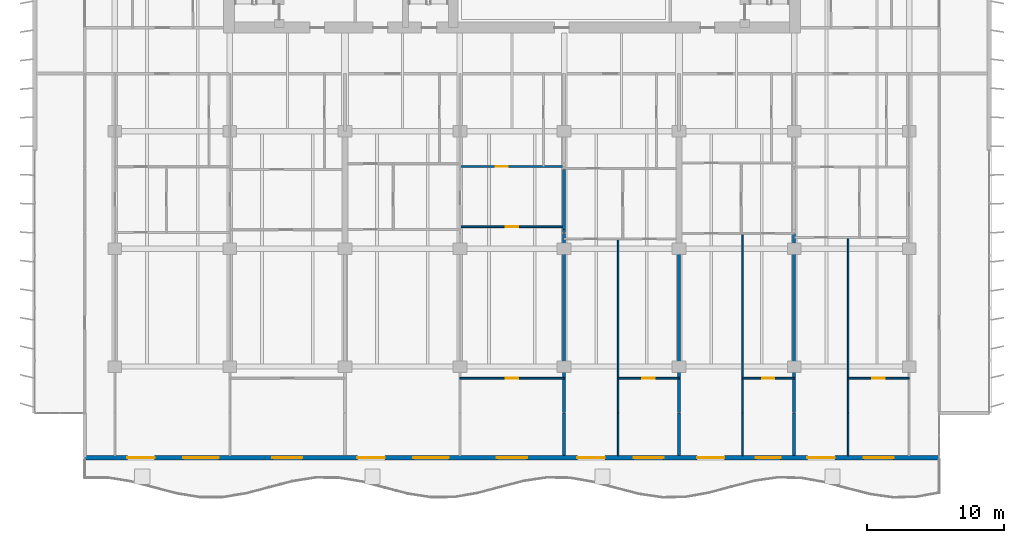
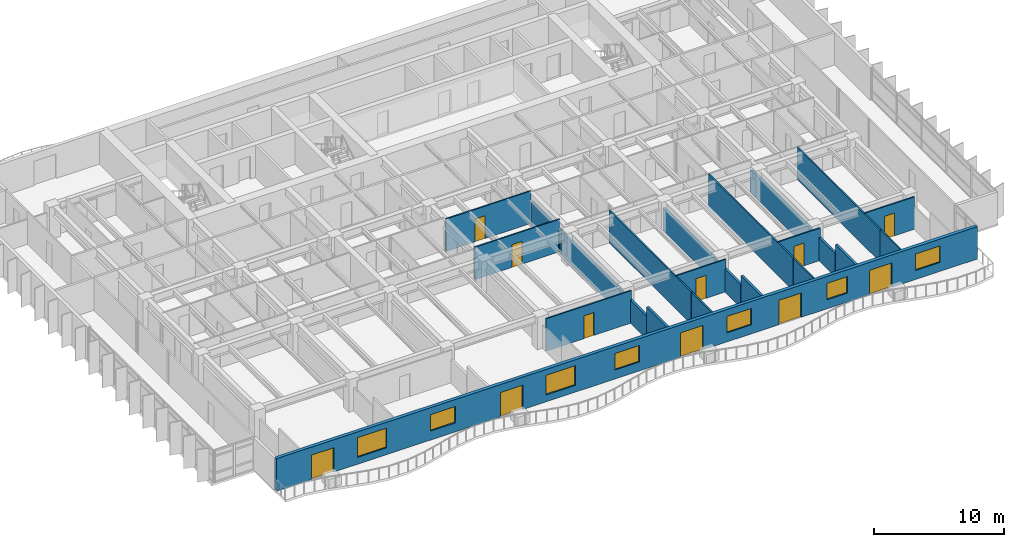
# One storey, part 8 of 19: 21 walls, 11 doors, 7 windows, 18 openings.
"""IFC4 building model written with IfcOpenShell, lengths in metres."""

from ifc_helpers import new_model, si_unit, direction, frame, frame_2d, origin, place, context, subcontext, project, spatial, rectangle, extrude, material, layer, layer_set, type_object, element, fill, save


model = new_model("IFC4")

# Units and contexts
model_context = context("Model", 3, precision=1e-05, world=origin(), true_north=direction((0.0, 1.0)))
body_context = subcontext(model_context, "Body", "Model", "MODEL_VIEW")
ifc_project = project(units=[si_unit("LENGTHUNIT", "METRE"), si_unit("AREAUNIT", "SQUARE_METRE"), si_unit("VOLUMEUNIT", "CUBIC_METRE"), si_unit("PLANEANGLEUNIT", "RADIAN"), si_unit("MASSUNIT", "GRAM", prefix="KILO")], contexts=[model_context])

# Site, building, storey
site_placement = place(None, origin())
site = spatial("IfcSite", under=ifc_project, at=site_placement, CompositionType="ELEMENT")
building_placement = place(site_placement, origin())
building = spatial("IfcBuilding", under=site, at=building_placement, Name="Caelmar Bay Residences", CompositionType="ELEMENT")
storey_placement = place(building_placement, frame((0.0, 0.0, 112.5)))
storey = spatial("IfcBuildingStorey", under=building, at=storey_placement, Name="L30", CompositionType="ELEMENT", Elevation=112.5)

# Wall, openings, doors, windows
ifc_material_1 = material(Name="Precast concrete f'c 40 MPa (6,000 psi)", Category="concrete")
ifc_layer_1 = layer(ifc_material_1, 0.300048828125)
ifc_layer_set_1 = layer_set([ifc_layer_1], Name="Precast concrete f'c 40 MPa (6,000 psi)")
wall_type_1 = type_object("IfcWallType", Name="W-EXT-300", PredefinedType="STANDARD", material=ifc_layer_set_1)
wall_1_placement = place(storey_placement, frame((70.10009765625, 5.550048828125, 0.0), z_axis=(0.0, 0.0, 1.0), x_axis=(-1.0, 0.0, 0.0)))
wall_1 = element("IfcWall", 1, at=wall_1_placement, inside=storey, type_object=wall_type_1, Name="L30 South Bayfront Exterior Wall", PredefinedType="STANDARD", context=body_context, shape_type="SweptSolid", body=[
    extrude(rectangle(XDim=62.400146484375, YDim=0.300048828125, at=frame_2d((31.2001953125, 0.0))), origin(), (0.0, 0.0, 1.0), 3.050048828125),
])
opening_1_placement = place(wall_1_placement, frame((57.2900390625, 0.0, 0.0)))
opening_1 = element("IfcOpeningElement", 2, at=opening_1_placement, cuts=wall_1, Name="Opening L30-BD01", PredefinedType="OPENING", context=body_context, shape_type="SweptSolid", body=[
    extrude(rectangle(XDim=2.0, YDim=2.300048828125, at=frame_2d((1.0, 1.14990234375))), frame((0.0, 0.159912109375, 0.0), z_axis=(0.0, -1.0, 0.0), x_axis=(1.0, 0.0, 0.0)), (0.0, 0.0, 1.0), 0.320068359375),
])
opening_2_placement = place(wall_1_placement, frame((52.610107421875, 0.0, 0.64990234375)))
opening_2 = element("IfcOpeningElement", 3, at=opening_2_placement, cuts=wall_1, Name="Opening WN3", PredefinedType="OPENING", context=body_context, shape_type="SweptSolid", body=[
    extrude(rectangle(XDim=2.60009765625, YDim=1.85009765625, at=frame_2d((1.300048828125, 0.925048828125))), frame((0.0, 0.159912109375, 0.0), z_axis=(0.0, -1.0, 0.0), x_axis=(1.0, 0.0, 0.0)), (0.0, 0.0, 1.0), 0.320068359375),
])
opening_3_placement = place(wall_1_placement, frame((46.5, 0.0, 0.85009765625)))
opening_3 = element("IfcOpeningElement", 4, at=opening_3_placement, cuts=wall_1, Name="Opening WN2", PredefinedType="OPENING", context=body_context, shape_type="SweptSolid", body=[
    extrude(rectangle(XDim=2.199951171875, YDim=1.550048828125, at=frame_2d((1.10009765625, 0.77490234375))), frame((0.0, 0.159912109375, 0.0), z_axis=(0.0, -1.0, 0.0), x_axis=(1.0, 0.0, 0.0)), (0.0, 0.0, 1.0), 0.320068359375),
])
opening_4_placement = place(wall_1_placement, frame((40.489990234375, 0.0, 0.0)))
opening_4 = element("IfcOpeningElement", 5, at=opening_4_placement, cuts=wall_1, Name="Opening L30-BD02", PredefinedType="OPENING", context=body_context, shape_type="SweptSolid", body=[
    extrude(rectangle(XDim=2.0, YDim=2.300048828125, at=frame_2d((1.0, 1.14990234375))), frame((0.0, 0.159912109375, 0.0), z_axis=(0.0, -1.0, 0.0), x_axis=(1.0, 0.0, 0.0)), (0.0, 0.0, 1.0), 0.320068359375),
])
opening_5_placement = place(wall_1_placement, frame((35.81005859375, 0.0, 0.64990234375)))
opening_5 = element("IfcOpeningElement", 6, at=opening_5_placement, cuts=wall_1, Name="Opening WN3", PredefinedType="OPENING", context=body_context, shape_type="SweptSolid", body=[
    extrude(rectangle(XDim=2.60009765625, YDim=1.85009765625, at=frame_2d((1.300048828125, 0.925048828125))), frame((0.0, 0.159912109375, 0.0), z_axis=(0.0, -1.0, 0.0), x_axis=(1.0, 0.0, 0.0)), (0.0, 0.0, 1.0), 0.320068359375),
])
opening_6_placement = place(wall_1_placement, frame((30.10009765625, 0.0, 0.85009765625)))
opening_6 = element("IfcOpeningElement", 7, at=opening_6_placement, cuts=wall_1, Name="Opening WN2", PredefinedType="OPENING", context=body_context, shape_type="SweptSolid", body=[
    extrude(rectangle(XDim=2.199951171875, YDim=1.550048828125, at=frame_2d((1.10009765625, 0.77490234375))), frame((0.0, 0.159912109375, 0.0), z_axis=(0.0, -1.0, 0.0), x_axis=(1.0, 0.0, 0.0)), (0.0, 0.0, 1.0), 0.320068359375),
])
opening_7_placement = place(wall_1_placement, frame((24.426025390625, 0.0, 0.0)))
opening_7 = element("IfcOpeningElement", 8, at=opening_7_placement, cuts=wall_1, Name="Opening L30-BD03", PredefinedType="OPENING", context=body_context, shape_type="SweptSolid", body=[
    extrude(rectangle(XDim=2.0, YDim=2.300048828125, at=frame_2d((1.0, 1.14990234375))), frame((0.0, 0.159912109375, 0.0), z_axis=(0.0, -1.0, 0.0), x_axis=(1.0, 0.0, 0.0)), (0.0, 0.0, 1.0), 0.320068359375),
])
opening_8_placement = place(wall_1_placement, frame((20.1259765625, 0.0, 0.85009765625)))
opening_8 = element("IfcOpeningElement", 9, at=opening_8_placement, cuts=wall_1, Name="Opening WN2", PredefinedType="OPENING", context=body_context, shape_type="SweptSolid", body=[
    extrude(rectangle(XDim=2.199951171875, YDim=1.550048828125, at=frame_2d((1.10009765625, 0.77490234375))), frame((0.0, 0.159912109375, 0.0), z_axis=(0.0, -1.0, 0.0), x_axis=(1.0, 0.0, 0.0)), (0.0, 0.0, 1.0), 0.320068359375),
])
opening_9_placement = place(wall_1_placement, frame((15.68994140625, 0.0, 0.0)))
opening_9 = element("IfcOpeningElement", 10, at=opening_9_placement, cuts=wall_1, Name="Opening L30-BD04", PredefinedType="OPENING", context=body_context, shape_type="SweptSolid", body=[
    extrude(rectangle(XDim=2.0, YDim=2.300048828125, at=frame_2d((1.0, 1.14990234375))), frame((0.0, 0.159912109375, 0.0), z_axis=(0.0, -1.0, 0.0), x_axis=(1.0, 0.0, 0.0)), (0.0, 0.0, 1.0), 0.320068359375),
])
opening_10_placement = place(wall_1_placement, frame((11.590087890625, 0.0, 0.85009765625)))
opening_10 = element("IfcOpeningElement", 11, at=opening_10_placement, cuts=wall_1, Name="Opening WN1", PredefinedType="OPENING", context=body_context, shape_type="SweptSolid", body=[
    extrude(rectangle(XDim=1.800048828125, YDim=1.550048828125, at=frame_2d((0.89990234375, 0.77490234375))), frame((0.0, 0.159912109375, 0.0), z_axis=(0.0, -1.0, 0.0), x_axis=(1.0, 0.0, 0.0)), (0.0, 0.0, 1.0), 0.320068359375),
])
opening_11_placement = place(wall_1_placement, frame((7.6259765625, 0.0, 0.0)))
opening_11 = element("IfcOpeningElement", 12, at=opening_11_placement, cuts=wall_1, Name="Opening L30-BD05", PredefinedType="OPENING", context=body_context, shape_type="SweptSolid", body=[
    extrude(rectangle(XDim=2.0, YDim=2.300048828125, at=frame_2d((1.0, 1.14990234375))), frame((0.0, 0.159912109375, 0.0), z_axis=(0.0, -1.0, 0.0), x_axis=(1.0, 0.0, 0.0)), (0.0, 0.0, 1.0), 0.320068359375),
])
opening_12_placement = place(wall_1_placement, frame((3.325927734375, 0.0, 0.85009765625)))
opening_12 = element("IfcOpeningElement", 13, at=opening_12_placement, cuts=wall_1, Name="Opening WN2", PredefinedType="OPENING", context=body_context, shape_type="SweptSolid", body=[
    extrude(rectangle(XDim=2.199951171875, YDim=1.550048828125, at=frame_2d((1.10009765625, 0.77490234375))), frame((0.0, 0.159912109375, 0.0), z_axis=(0.0, -1.0, 0.0), x_axis=(1.0, 0.0, 0.0)), (0.0, 0.0, 1.0), 0.320068359375),
])
ifc_material_2 = material(Name="Anodised bronze thermally broken sliding glass door", Category="glass")
ifc_layer_2 = layer(ifc_material_2, 0.050048828125)
ifc_layer_set_2 = layer_set([ifc_layer_2], Name="Anodised bronze thermally broken sliding glass door")
door_type_1 = type_object("IfcDoorType", Name="D-BAL-2000", OperationType="DOUBLE_DOOR_SLIDING", PredefinedType="DOOR", material=ifc_layer_set_2)
door_1_placement = place(opening_1_placement, origin())
door_1 = element("IfcDoor", 14, at=door_1_placement, inside=storey, type_object=door_type_1, Name="L30 Residence 01 Penthouse Living Salon Balcony Door", OperationType="DOUBLE_DOOR_SLIDING", OverallHeight=2.300048828125, OverallWidth=2.0, PredefinedType="DOOR", context=body_context, shape_type="SweptSolid", body=[
    extrude(rectangle(XDim=2.0, YDim=2.300048828125, at=frame_2d((1.0, 1.14990234375))), frame((0.0, 0.02490234375, 0.0), z_axis=(0.0, -1.0, 0.0), x_axis=(1.0, 0.0, 0.0)), (0.0, 0.0, 1.0), 0.050048828125),
])
fill(opening_1, door_1)
door_2_placement = place(opening_4_placement, origin())
door_2 = element("IfcDoor", 15, at=door_2_placement, inside=storey, type_object=door_type_1, Name="L30 Residence 02 Penthouse Living Salon Balcony Door", OperationType="DOUBLE_DOOR_SLIDING", OverallHeight=2.300048828125, OverallWidth=2.0, PredefinedType="DOOR", context=body_context, shape_type="SweptSolid", body=[
    extrude(rectangle(XDim=2.0, YDim=2.300048828125, at=frame_2d((1.0, 1.14990234375))), frame((0.0, 0.02490234375, 0.0), z_axis=(0.0, -1.0, 0.0), x_axis=(1.0, 0.0, 0.0)), (0.0, 0.0, 1.0), 0.050048828125),
])
fill(opening_4, door_2)
door_3_placement = place(opening_7_placement, origin())
door_3 = element("IfcDoor", 16, at=door_3_placement, inside=storey, type_object=door_type_1, Name="L30 Residence 03 Living Room Balcony Door", OperationType="DOUBLE_DOOR_SLIDING", OverallHeight=2.300048828125, OverallWidth=2.0, PredefinedType="DOOR", context=body_context, shape_type="SweptSolid", body=[
    extrude(rectangle(XDim=2.0, YDim=2.300048828125, at=frame_2d((1.0, 1.14990234375))), frame((0.0, 0.02490234375, 0.0), z_axis=(0.0, -1.0, 0.0), x_axis=(1.0, 0.0, 0.0)), (0.0, 0.0, 1.0), 0.050048828125),
])
fill(opening_7, door_3)
door_4_placement = place(opening_9_placement, origin())
door_4 = element("IfcDoor", 17, at=door_4_placement, inside=storey, type_object=door_type_1, Name="L30 Residence 04 Living Room Balcony Door", OperationType="DOUBLE_DOOR_SLIDING", OverallHeight=2.300048828125, OverallWidth=2.0, PredefinedType="DOOR", context=body_context, shape_type="SweptSolid", body=[
    extrude(rectangle(XDim=2.0, YDim=2.300048828125, at=frame_2d((1.0, 1.14990234375))), frame((0.0, 0.02490234375, 0.0), z_axis=(0.0, -1.0, 0.0), x_axis=(1.0, 0.0, 0.0)), (0.0, 0.0, 1.0), 0.050048828125),
])
fill(opening_9, door_4)
door_5_placement = place(opening_11_placement, origin())
door_5 = element("IfcDoor", 18, at=door_5_placement, inside=storey, type_object=door_type_1, Name="L30 Residence 05 Living Room Balcony Door", OperationType="DOUBLE_DOOR_SLIDING", OverallHeight=2.300048828125, OverallWidth=2.0, PredefinedType="DOOR", context=body_context, shape_type="SweptSolid", body=[
    extrude(rectangle(XDim=2.0, YDim=2.300048828125, at=frame_2d((1.0, 1.14990234375))), frame((0.0, 0.02490234375, 0.0), z_axis=(0.0, -1.0, 0.0), x_axis=(1.0, 0.0, 0.0)), (0.0, 0.0, 1.0), 0.050048828125),
])
fill(opening_11, door_5)
ifc_material_3 = material(Name="Bronze aluminium frame with laminated low-E glass", Category="aluminium")
ifc_layer_3 = layer(ifc_material_3, 0.06005859375)
ifc_layer_set_3 = layer_set([ifc_layer_3], Name="Bronze aluminium frame with laminated low-E glass")
window_type_1 = type_object("IfcWindowType", Name="WIN-BR-1800", PartitioningType="SINGLE_PANEL", PredefinedType="WINDOW", material=ifc_layer_set_3)
window_1_placement = place(opening_10_placement, origin())
window_1 = element("IfcWindow", 19, at=window_1_placement, inside=storey, type_object=window_type_1, Name="L30 Residence 04 Primary Bedroom Window", OverallHeight=1.550048828125, OverallWidth=1.800048828125, PartitioningType="SINGLE_PANEL", PredefinedType="WINDOW", context=body_context, shape_type="SweptSolid", body=[
    extrude(rectangle(XDim=1.800048828125, YDim=1.550048828125, at=frame_2d((0.89990234375, 0.77490234375))), frame((0.0, 0.030029296875, 0.0), z_axis=(0.0, -1.0, 0.0), x_axis=(1.0, 0.0, 0.0)), (0.0, 0.0, 1.0), 0.06005859375),
])
fill(opening_10, window_1)
ifc_layer_4 = layer(ifc_material_3, 0.06005859375)
ifc_layer_set_4 = layer_set([ifc_layer_4], Name="Bronze aluminium frame with laminated low-E glass")
window_type_2 = type_object("IfcWindowType", Name="WIN-BR-2200", PartitioningType="SINGLE_PANEL", PredefinedType="WINDOW", material=ifc_layer_set_4)
window_2_placement = place(opening_3_placement, origin())
window_2 = element("IfcWindow", 20, at=window_2_placement, inside=storey, type_object=window_type_2, Name="L30 Residence 01 Primary Bedroom 1 Window", OverallHeight=1.550048828125, OverallWidth=2.199951171875, PartitioningType="SINGLE_PANEL", PredefinedType="WINDOW", context=body_context, shape_type="SweptSolid", body=[
    extrude(rectangle(XDim=2.199951171875, YDim=1.550048828125, at=frame_2d((1.10009765625, 0.77490234375))), frame((0.0, 0.030029296875, 0.0), z_axis=(0.0, -1.0, 0.0), x_axis=(1.0, 0.0, 0.0)), (0.0, 0.0, 1.0), 0.06005859375),
])
fill(opening_3, window_2)
window_3_placement = place(opening_6_placement, origin())
window_3 = element("IfcWindow", 21, at=window_3_placement, inside=storey, type_object=window_type_2, Name="L30 Residence 02 Primary Bedroom 1 Window", OverallHeight=1.550048828125, OverallWidth=2.199951171875, PartitioningType="SINGLE_PANEL", PredefinedType="WINDOW", context=body_context, shape_type="SweptSolid", body=[
    extrude(rectangle(XDim=2.199951171875, YDim=1.550048828125, at=frame_2d((1.10009765625, 0.77490234375))), frame((0.0, 0.030029296875, 0.0), z_axis=(0.0, -1.0, 0.0), x_axis=(1.0, 0.0, 0.0)), (0.0, 0.0, 1.0), 0.06005859375),
])
fill(opening_6, window_3)
window_4_placement = place(opening_8_placement, origin())
window_4 = element("IfcWindow", 22, at=window_4_placement, inside=storey, type_object=window_type_2, Name="L30 Residence 03 Primary Bedroom Window", OverallHeight=1.550048828125, OverallWidth=2.199951171875, PartitioningType="SINGLE_PANEL", PredefinedType="WINDOW", context=body_context, shape_type="SweptSolid", body=[
    extrude(rectangle(XDim=2.199951171875, YDim=1.550048828125, at=frame_2d((1.10009765625, 0.77490234375))), frame((0.0, 0.030029296875, 0.0), z_axis=(0.0, -1.0, 0.0), x_axis=(1.0, 0.0, 0.0)), (0.0, 0.0, 1.0), 0.06005859375),
])
fill(opening_8, window_4)
window_5_placement = place(opening_12_placement, origin())
window_5 = element("IfcWindow", 23, at=window_5_placement, inside=storey, type_object=window_type_2, Name="L30 Residence 05 Primary Bedroom Window", OverallHeight=1.550048828125, OverallWidth=2.199951171875, PartitioningType="SINGLE_PANEL", PredefinedType="WINDOW", context=body_context, shape_type="SweptSolid", body=[
    extrude(rectangle(XDim=2.199951171875, YDim=1.550048828125, at=frame_2d((1.10009765625, 0.77490234375))), frame((0.0, 0.030029296875, 0.0), z_axis=(0.0, -1.0, 0.0), x_axis=(1.0, 0.0, 0.0)), (0.0, 0.0, 1.0), 0.06005859375),
])
fill(opening_12, window_5)
ifc_layer_5 = layer(ifc_material_3, 0.06005859375)
ifc_layer_set_5 = layer_set([ifc_layer_5], Name="Bronze aluminium frame with laminated low-E glass")
window_type_3 = type_object("IfcWindowType", Name="WIN-LIV-2600", PartitioningType="SINGLE_PANEL", PredefinedType="WINDOW", material=ifc_layer_set_5)
window_6_placement = place(opening_2_placement, origin())
window_6 = element("IfcWindow", 24, at=window_6_placement, inside=storey, type_object=window_type_3, Name="L30 Residence 01 Penthouse Living Salon Panoramic Window", OverallHeight=1.85009765625, OverallWidth=2.60009765625, PartitioningType="SINGLE_PANEL", PredefinedType="WINDOW", context=body_context, shape_type="SweptSolid", body=[
    extrude(rectangle(XDim=2.60009765625, YDim=1.85009765625, at=frame_2d((1.300048828125, 0.925048828125))), frame((0.0, 0.030029296875, 0.0), z_axis=(0.0, -1.0, 0.0), x_axis=(1.0, 0.0, 0.0)), (0.0, 0.0, 1.0), 0.06005859375),
])
fill(opening_2, window_6)
window_7_placement = place(opening_5_placement, origin())
window_7 = element("IfcWindow", 25, at=window_7_placement, inside=storey, type_object=window_type_3, Name="L30 Residence 02 Penthouse Living Salon Panoramic Window", OverallHeight=1.85009765625, OverallWidth=2.60009765625, PartitioningType="SINGLE_PANEL", PredefinedType="WINDOW", context=body_context, shape_type="SweptSolid", body=[
    extrude(rectangle(XDim=2.60009765625, YDim=1.85009765625, at=frame_2d((1.300048828125, 0.925048828125))), frame((0.0, 0.030029296875, 0.0), z_axis=(0.0, -1.0, 0.0), x_axis=(1.0, 0.0, 0.0)), (0.0, 0.0, 1.0), 0.06005859375),
])
fill(opening_5, window_7)

# Walls
ifc_material_4 = material(Name="Acoustic metal-stud gypsum partition 120 mm")
ifc_layer_6 = layer(ifc_material_4, 0.1201171875)
ifc_layer_set_6 = layer_set([ifc_layer_6], Name="Acoustic metal-stud gypsum partition 120 mm")
wall_type_2 = type_object("IfcWallType", Name="W-PRT-120", PredefinedType="PARTITIONING", material=ifc_layer_set_6)
wall_2_placement = place(storey_placement, frame((46.64794921875, 5.695068359375, 0.0), z_axis=(0.0, 0.0, 1.0), x_axis=(0.0, 1.0, 0.0)))
element("IfcWall", 26, at=wall_2_placement, inside=storey, type_object=wall_type_2, Name="L30 Partition Wall V064", PredefinedType="PARTITIONING", context=body_context, shape_type="SweptSolid", body=[
    extrude(rectangle(XDim=3.10498046875, YDim=0.1201171875, at=frame_2d((1.552490234375, 0.0))), origin(), (0.0, 0.0, 1.0), 3.050048828125),
])
wall_3_placement = place(storey_placement, frame((46.64794921875, 8.840087890625, 0.0), z_axis=(0.0, 0.0, 1.0), x_axis=(0.0, 1.0, 0.0)))
element("IfcWall", 27, at=wall_3_placement, inside=storey, type_object=wall_type_2, Name="L30 Partition Wall V065", PredefinedType="PARTITIONING", context=body_context, shape_type="SweptSolid", body=[
    extrude(rectangle(XDim=12.68994140625, YDim=0.1201171875, at=frame_2d((6.344970703125, 0.0))), origin(), (0.0, 0.0, 1.0), 3.050048828125),
])
wall_4_placement = place(storey_placement, frame((55.719970703125, 5.695068359375, 0.0), z_axis=(0.0, 0.0, 1.0), x_axis=(0.0, 1.0, 0.0)))
element("IfcWall", 28, at=wall_4_placement, inside=storey, type_object=wall_type_2, Name="L30 Partition Wall V083", PredefinedType="PARTITIONING", context=body_context, shape_type="SweptSolid", body=[
    extrude(rectangle(XDim=3.10498046875, YDim=0.1201171875, at=frame_2d((1.552490234375, 0.0))), origin(), (0.0, 0.0, 1.0), 3.050048828125),
])
wall_5_placement = place(storey_placement, frame((55.719970703125, 8.840087890625, 0.0), z_axis=(0.0, 0.0, 1.0), x_axis=(0.0, 1.0, 0.0)))
element("IfcWall", 29, at=wall_5_placement, inside=storey, type_object=wall_type_2, Name="L30 Partition Wall V084", PredefinedType="PARTITIONING", context=body_context, shape_type="SweptSolid", body=[
    extrude(rectangle(XDim=13.08984375, YDim=0.1201171875, at=frame_2d((6.544921875, 0.0))), origin(), (0.0, 0.0, 1.0), 3.050048828125),
])
wall_6_placement = place(storey_placement, frame((63.447998046875, 5.695068359375, 0.0), z_axis=(0.0, 0.0, 1.0), x_axis=(0.0, 1.0, 0.0)))
element("IfcWall", 30, at=wall_6_placement, inside=storey, type_object=wall_type_2, Name="L30 Partition Wall V095", PredefinedType="PARTITIONING", context=body_context, shape_type="SweptSolid", body=[
    extrude(rectangle(XDim=3.10498046875, YDim=0.1201171875, at=frame_2d((1.552490234375, 0.0))), origin(), (0.0, 0.0, 1.0), 3.050048828125),
])
wall_7_placement = place(storey_placement, frame((63.447998046875, 8.840087890625, 0.0), z_axis=(0.0, 0.0, 1.0), x_axis=(0.0, 1.0, 0.0)))
element("IfcWall", 31, at=wall_7_placement, inside=storey, type_object=wall_type_2, Name="L30 Partition Wall V096", PredefinedType="PARTITIONING", context=body_context, shape_type="SweptSolid", body=[
    extrude(rectangle(XDim=12.789794921875, YDim=0.1201171875, at=frame_2d((6.39501953125, 0.0))), origin(), (0.0, 0.0, 1.0), 3.050048828125),
])

# Wall, opening, door
wall_8_placement = place(storey_placement, frame((35.10009765625, 11.35009765625, 0.0), z_axis=(0.0, 0.0, 1.0), x_axis=(1.0, 0.0, 0.0)))
wall_8 = element("IfcWall", 32, at=wall_8_placement, inside=storey, type_object=wall_type_2, Name="L30 Partition Wall H121", PredefinedType="PARTITIONING", context=body_context, shape_type="SweptSolid", body=[
    extrude(rectangle(XDim=7.599853515625, YDim=0.1201171875, at=frame_2d((3.7998046875, 0.0))), origin(), (0.0, 0.0, 1.0), 3.050048828125),
])
opening_13_placement = place(wall_8_placement, frame((3.35009765625, 0.0, 0.0)))
opening_13 = element("IfcOpeningElement", 33, at=opening_13_placement, cuts=wall_8, Name="Opening D-L30-139", PredefinedType="OPENING", context=body_context, shape_type="SweptSolid", body=[
    extrude(rectangle(XDim=0.89990234375, YDim=2.14990234375, at=frame_2d((0.449951171875, 1.074951171875))), frame((0.0, 0.070068359375, 0.0), z_axis=(0.0, -1.0, 0.0), x_axis=(1.0, 0.0, 0.0)), (0.0, 0.0, 1.0), 0.14013671875),
])
ifc_material_5 = material(Name="Solid walnut timber interior door leaf and frame", Category="wood")
ifc_layer_7 = layer(ifc_material_5, 0.050048828125)
ifc_layer_set_7 = layer_set([ifc_layer_7], Name="Solid walnut timber interior door leaf and frame")
door_type_2 = type_object("IfcDoorType", Name="D-ROOM-900", OperationType="NOTDEFINED", PredefinedType="DOOR", material=ifc_layer_set_7)
door_6_placement = place(opening_13_placement, origin())
door_6 = element("IfcDoor", 34, at=door_6_placement, inside=storey, type_object=door_type_2, Name="L30 Residence 02 Primary Bedroom 1 Door", OperationType="SINGLE_SWING_LEFT", OverallHeight=2.14990234375, OverallWidth=0.89990234375, PredefinedType="DOOR", context=body_context, shape_type="SweptSolid", body=[
    extrude(rectangle(XDim=0.89990234375, YDim=2.14990234375, at=frame_2d((0.449951171875, 1.074951171875))), frame((0.0, 0.02490234375, 0.0), z_axis=(0.0, -1.0, 0.0), x_axis=(1.0, 0.0, 0.0)), (0.0, 0.0, 1.0), 0.050048828125),
])
fill(opening_13, door_6)

wall_9_placement = place(storey_placement, frame((46.64794921875, 11.35009765625, 0.0), z_axis=(0.0, 0.0, 1.0), x_axis=(1.0, 0.0, 0.0)))
wall_9 = element("IfcWall", 35, at=wall_9_placement, inside=storey, type_object=wall_type_2, Name="L30 Partition Wall H122", PredefinedType="PARTITIONING", context=body_context, shape_type="SweptSolid", body=[
    extrude(rectangle(XDim=4.4521484375, YDim=0.1201171875, at=frame_2d((2.22607421875, 0.0))), origin(), (0.0, 0.0, 1.0), 3.050048828125),
])
opening_14_placement = place(wall_9_placement, frame((1.77587890625, 0.0, 0.0)))
opening_14 = element("IfcOpeningElement", 36, at=opening_14_placement, cuts=wall_9, Name="Opening D-L30-146", PredefinedType="OPENING", context=body_context, shape_type="SweptSolid", body=[
    extrude(rectangle(XDim=0.89990234375, YDim=2.14990234375, at=frame_2d((0.449951171875, 1.074951171875))), frame((0.0, 0.070068359375, 0.0), z_axis=(0.0, -1.0, 0.0), x_axis=(1.0, 0.0, 0.0)), (0.0, 0.0, 1.0), 0.14013671875),
])
door_7_placement = place(opening_14_placement, origin())
door_7 = element("IfcDoor", 37, at=door_7_placement, inside=storey, type_object=door_type_2, Name="L30 Residence 03 Primary Bedroom Door", OperationType="SINGLE_SWING_RIGHT", OverallHeight=2.14990234375, OverallWidth=0.89990234375, PredefinedType="DOOR", context=body_context, shape_type="SweptSolid", body=[
    extrude(rectangle(XDim=0.89990234375, YDim=2.14990234375, at=frame_2d((0.449951171875, 1.074951171875))), frame((0.0, 0.02490234375, 0.0), z_axis=(0.0, -1.0, 0.0), x_axis=(1.0, 0.0, 0.0)), (0.0, 0.0, 1.0), 0.050048828125),
])
fill(opening_14, door_7)

wall_10_placement = place(storey_placement, frame((55.719970703125, 11.35009765625, 0.0), z_axis=(0.0, 0.0, 1.0), x_axis=(1.0, 0.0, 0.0)))
wall_10 = element("IfcWall", 38, at=wall_10_placement, inside=storey, type_object=wall_type_2, Name="L30 Partition Wall H123", PredefinedType="PARTITIONING", context=body_context, shape_type="SweptSolid", body=[
    extrude(rectangle(XDim=3.780029296875, YDim=0.1201171875, at=frame_2d((1.89013671875, 0.0))), origin(), (0.0, 0.0, 1.0), 3.050048828125),
])
opening_15_placement = place(wall_10_placement, frame((1.43994140625, 0.0, 0.0)))
opening_15 = element("IfcOpeningElement", 39, at=opening_15_placement, cuts=wall_10, Name="Opening D-L30-153", PredefinedType="OPENING", context=body_context, shape_type="SweptSolid", body=[
    extrude(rectangle(XDim=0.89990234375, YDim=2.14990234375, at=frame_2d((0.449951171875, 1.074951171875))), frame((0.0, 0.070068359375, 0.0), z_axis=(0.0, -1.0, 0.0), x_axis=(1.0, 0.0, 0.0)), (0.0, 0.0, 1.0), 0.14013671875),
])
door_8_placement = place(opening_15_placement, origin())
door_8 = element("IfcDoor", 40, at=door_8_placement, inside=storey, type_object=door_type_2, Name="L30 Residence 04 Primary Bedroom Door", OperationType="SINGLE_SWING_LEFT", OverallHeight=2.14990234375, OverallWidth=0.89990234375, PredefinedType="DOOR", context=body_context, shape_type="SweptSolid", body=[
    extrude(rectangle(XDim=0.89990234375, YDim=2.14990234375, at=frame_2d((0.449951171875, 1.074951171875))), frame((0.0, 0.02490234375, 0.0), z_axis=(0.0, -1.0, 0.0), x_axis=(1.0, 0.0, 0.0)), (0.0, 0.0, 1.0), 0.050048828125),
])
fill(opening_15, door_8)

wall_11_placement = place(storey_placement, frame((63.447998046875, 11.35009765625, 0.0), z_axis=(0.0, 0.0, 1.0), x_axis=(1.0, 0.0, 0.0)))
wall_11 = element("IfcWall", 41, at=wall_11_placement, inside=storey, type_object=wall_type_2, Name="L30 Partition Wall H124", PredefinedType="PARTITIONING", context=body_context, shape_type="SweptSolid", body=[
    extrude(rectangle(XDim=4.451904296875, YDim=0.1201171875, at=frame_2d((2.22607421875, 0.0))), origin(), (0.0, 0.0, 1.0), 3.050048828125),
])
opening_16_placement = place(wall_11_placement, frame((1.77587890625, 0.0, 0.0)))
opening_16 = element("IfcOpeningElement", 42, at=opening_16_placement, cuts=wall_11, Name="Opening D-L30-160", PredefinedType="OPENING", context=body_context, shape_type="SweptSolid", body=[
    extrude(rectangle(XDim=0.89990234375, YDim=2.14990234375, at=frame_2d((0.449951171875, 1.074951171875))), frame((0.0, 0.070068359375, 0.0), z_axis=(0.0, -1.0, 0.0), x_axis=(1.0, 0.0, 0.0)), (0.0, 0.0, 1.0), 0.14013671875),
])
door_9_placement = place(opening_16_placement, origin())
door_9 = element("IfcDoor", 43, at=door_9_placement, inside=storey, type_object=door_type_2, Name="L30 Residence 05 Primary Bedroom Door", OperationType="SINGLE_SWING_RIGHT", OverallHeight=2.14990234375, OverallWidth=0.89990234375, PredefinedType="DOOR", context=body_context, shape_type="SweptSolid", body=[
    extrude(rectangle(XDim=0.89990234375, YDim=2.14990234375, at=frame_2d((0.449951171875, 1.074951171875))), frame((0.0, 0.02490234375, 0.0), z_axis=(0.0, -1.0, 0.0), x_axis=(1.0, 0.0, 0.0)), (0.0, 0.0, 1.0), 0.050048828125),
])
fill(opening_16, door_9)

wall_12_placement = place(storey_placement, frame((35.10009765625, 22.419921875, 0.0), z_axis=(0.0, 0.0, 1.0), x_axis=(1.0, 0.0, 0.0)))
wall_12 = element("IfcWall", 44, at=wall_12_placement, inside=storey, type_object=wall_type_2, Name="L30 Partition Wall H131", PredefinedType="PARTITIONING", context=body_context, shape_type="SweptSolid", body=[
    extrude(rectangle(XDim=7.599853515625, YDim=0.1201171875, at=frame_2d((3.7998046875, 0.0))), origin(), (0.0, 0.0, 1.0), 3.050048828125),
])
opening_17_placement = place(wall_12_placement, frame((3.35009765625, 0.0, 0.0)))
opening_17 = element("IfcOpeningElement", 45, at=opening_17_placement, cuts=wall_12, Name="Opening D-L30-138", PredefinedType="OPENING", context=body_context, shape_type="SweptSolid", body=[
    extrude(rectangle(XDim=0.89990234375, YDim=2.14990234375, at=frame_2d((0.449951171875, 1.074951171875))), frame((0.0, 0.070068359375, 0.0), z_axis=(0.0, -1.0, 0.0), x_axis=(1.0, 0.0, 0.0)), (0.0, 0.0, 1.0), 0.14013671875),
])
door_10_placement = place(opening_17_placement, origin())
door_10 = element("IfcDoor", 46, at=door_10_placement, inside=storey, type_object=door_type_2, Name="L30 Residence 02 Penthouse Sitting Salon 1 Door", OperationType="SINGLE_SWING_RIGHT", OverallHeight=2.14990234375, OverallWidth=0.89990234375, PredefinedType="DOOR", context=body_context, shape_type="SweptSolid", body=[
    extrude(rectangle(XDim=0.89990234375, YDim=2.14990234375, at=frame_2d((0.449951171875, 1.074951171875))), frame((0.0, 0.02490234375, 0.0), z_axis=(0.0, -1.0, 0.0), x_axis=(1.0, 0.0, 0.0)), (0.0, 0.0, 1.0), 0.050048828125),
])
fill(opening_17, door_10)

wall_13_placement = place(storey_placement, frame((35.10009765625, 26.820068359375, 0.0), z_axis=(0.0, 0.0, 1.0), x_axis=(1.0, 0.0, 0.0)))
wall_13 = element("IfcWall", 47, at=wall_13_placement, inside=storey, type_object=wall_type_2, Name="L30 Partition Wall H136", PredefinedType="PARTITIONING", context=body_context, shape_type="SweptSolid", body=[
    extrude(rectangle(XDim=7.594970703125, YDim=0.1201171875, at=frame_2d((3.79736328125, 0.0))), origin(), (0.0, 0.0, 1.0), 3.050048828125),
])
opening_18_placement = place(wall_13_placement, frame((2.60009765625, 0.0, 0.0)))
opening_18 = element("IfcOpeningElement", 48, at=opening_18_placement, cuts=wall_13, Name="Opening D-L30-136", PredefinedType="OPENING", context=body_context, shape_type="SweptSolid", body=[
    extrude(rectangle(XDim=0.89990234375, YDim=2.14990234375, at=frame_2d((0.449951171875, 1.074951171875))), frame((0.0, 0.070068359375, 0.0), z_axis=(0.0, -1.0, 0.0), x_axis=(1.0, 0.0, 0.0)), (0.0, 0.0, 1.0), 0.14013671875),
])
door_11_placement = place(opening_18_placement, origin())
door_11 = element("IfcDoor", 49, at=door_11_placement, inside=storey, type_object=door_type_2, Name="L30 Residence 02 Private Meeting Room 1 Door", OperationType="SINGLE_SWING_RIGHT", OverallHeight=2.14990234375, OverallWidth=0.89990234375, PredefinedType="DOOR", context=body_context, shape_type="SweptSolid", body=[
    extrude(rectangle(XDim=0.89990234375, YDim=2.14990234375, at=frame_2d((0.449951171875, 1.074951171875))), frame((0.0, 0.02490234375, 0.0), z_axis=(0.0, -1.0, 0.0), x_axis=(1.0, 0.0, 0.0)), (0.0, 0.0, 1.0), 0.050048828125),
])
fill(opening_18, door_11)

# Walls
ifc_material_6 = material(Name="Acoustic twin-stud fire-rated inter-tenancy partition 200 mm")
ifc_layer_8 = layer(ifc_material_6, 0.199951171875)
ifc_layer_set_8 = layer_set([ifc_layer_8], Name="Acoustic twin-stud fire-rated inter-tenancy partition 200 mm")
wall_type_3 = type_object("IfcWallType", Name="W-PTY-200", PredefinedType="PARTITIONING", material=ifc_layer_set_8)
wall_14_placement = place(storey_placement, frame((42.699951171875, 5.695068359375, 0.0), z_axis=(0.0, 0.0, 1.0), x_axis=(0.0, 1.0, 0.0)))
element("IfcWall", 50, at=wall_14_placement, inside=storey, type_object=wall_type_3, Name="L30 Partition Wall V055", PredefinedType="PARTITIONING", context=body_context, shape_type="SweptSolid", body=[
    extrude(rectangle(XDim=3.10498046875, YDim=0.199951171875, at=frame_2d((1.552490234375, 0.0))), origin(), (0.0, 0.0, 1.0), 3.050048828125),
])
wall_15_placement = place(storey_placement, frame((42.699951171875, 8.840087890625, 0.0), z_axis=(0.0, 0.0, 1.0), x_axis=(0.0, 1.0, 0.0)))
element("IfcWall", 51, at=wall_15_placement, inside=storey, type_object=wall_type_3, Name="L30 Partition Wall V056", PredefinedType="PARTITIONING", context=body_context, shape_type="SweptSolid", body=[
    extrude(rectangle(XDim=13.08984375, YDim=0.199951171875, at=frame_2d((6.544921875, 0.0))), origin(), (0.0, 0.0, 1.0), 2.174072265625),
])
wall_16_placement = place(storey_placement, frame((42.699951171875, 22.0, 0.0), z_axis=(0.0, 0.0, 1.0), x_axis=(0.0, 1.0, 0.0)))
element("IfcWall", 52, at=wall_16_placement, inside=storey, type_object=wall_type_3, Name="L30 Partition Wall V057", PredefinedType="PARTITIONING", context=body_context, shape_type="SweptSolid", body=[
    extrude(rectangle(XDim=0.199951171875, YDim=0.199951171875, at=frame_2d((0.10009765625, 0.0))), origin(), (0.0, 0.0, 1.0), 2.174072265625),
])
wall_17_placement = place(storey_placement, frame((42.699951171875, 22.219970703125, 0.0), z_axis=(0.0, 0.0, 1.0), x_axis=(0.0, 1.0, 0.0)))
element("IfcWall", 53, at=wall_17_placement, inside=storey, type_object=wall_type_3, Name="L30 Partition Wall V058", PredefinedType="PARTITIONING", context=body_context, shape_type="SweptSolid", body=[
    extrude(rectangle(XDim=4.380126953125, YDim=0.199951171875, at=frame_2d((2.18994140625, 0.0))), origin(), (0.0, 0.0, 1.0), 2.174072265625),
])
wall_18_placement = place(storey_placement, frame((51.10009765625, 5.695068359375, 0.0), z_axis=(0.0, 0.0, 1.0), x_axis=(0.0, 1.0, 0.0)))
element("IfcWall", 54, at=wall_18_placement, inside=storey, type_object=wall_type_3, Name="L30 Partition Wall V075", PredefinedType="PARTITIONING", context=body_context, shape_type="SweptSolid", body=[
    extrude(rectangle(XDim=3.10498046875, YDim=0.199951171875, at=frame_2d((1.552490234375, 0.0))), origin(), (0.0, 0.0, 1.0), 3.050048828125),
])
wall_19_placement = place(storey_placement, frame((51.10009765625, 8.840087890625, 0.0), z_axis=(0.0, 0.0, 1.0), x_axis=(0.0, 1.0, 0.0)))
element("IfcWall", 55, at=wall_19_placement, inside=storey, type_object=wall_type_3, Name="L30 Partition Wall V076", PredefinedType="PARTITIONING", context=body_context, shape_type="SweptSolid", body=[
    extrude(rectangle(XDim=11.954833984375, YDim=0.199951171875, at=frame_2d((5.9775390625, 0.0))), origin(), (0.0, 0.0, 1.0), 2.174072265625),
])
wall_20_placement = place(storey_placement, frame((59.5, 5.695068359375, 0.0), z_axis=(0.0, 0.0, 1.0), x_axis=(0.0, 1.0, 0.0)))
element("IfcWall", 56, at=wall_20_placement, inside=storey, type_object=wall_type_3, Name="L30 Partition Wall V087", PredefinedType="PARTITIONING", context=body_context, shape_type="SweptSolid", body=[
    extrude(rectangle(XDim=3.10498046875, YDim=0.199951171875, at=frame_2d((1.552490234375, 0.0))), origin(), (0.0, 0.0, 1.0), 3.050048828125),
])
wall_21_placement = place(storey_placement, frame((59.5, 8.840087890625, 0.0), z_axis=(0.0, 0.0, 1.0), x_axis=(0.0, 1.0, 0.0)))
element("IfcWall", 57, at=wall_21_placement, inside=storey, type_object=wall_type_3, Name="L30 Partition Wall V088", PredefinedType="PARTITIONING", context=body_context, shape_type="SweptSolid", body=[
    extrude(rectangle(XDim=13.08984375, YDim=0.199951171875, at=frame_2d((6.544921875, 0.0))), origin(), (0.0, 0.0, 1.0), 2.174072265625),
])

save(model, "model.ifc")
